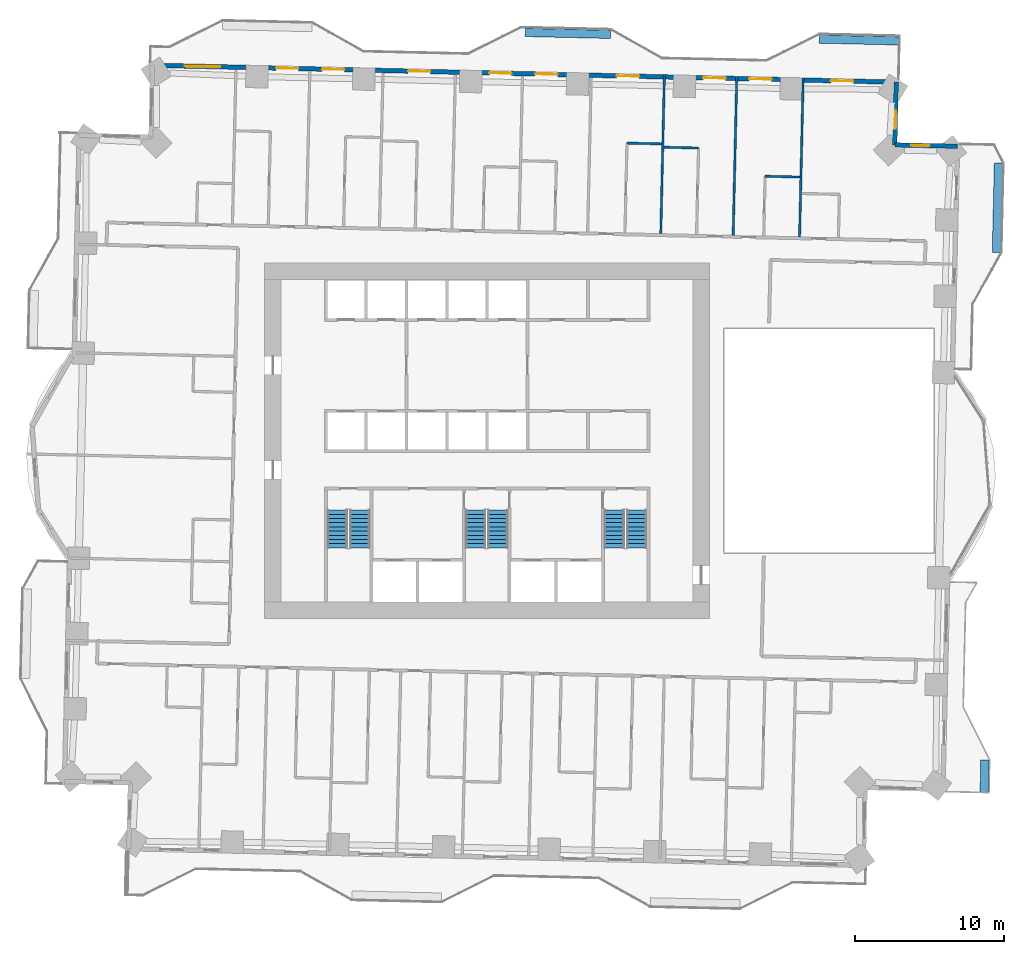
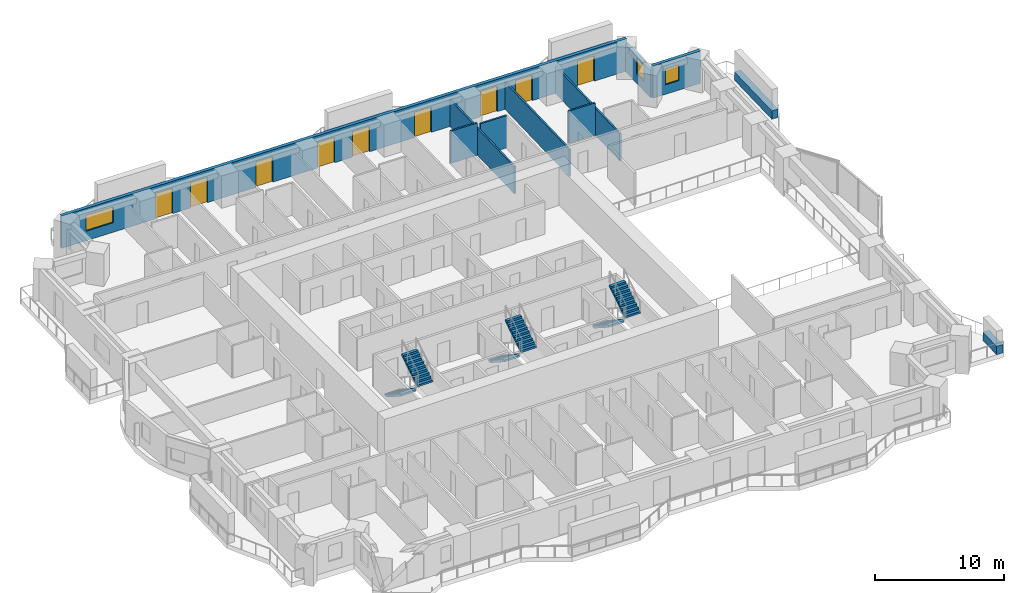
# One storey, part 13 of 18: 13 walls, 9 doors, 6 stair flights, 3 windows, 12 openings, 3 elements without a shape of their own.
"""IFC4 building model written with IfcOpenShell, lengths in metres."""

from ifc_helpers import new_model, si_unit, direction, frame, frame_2d, origin, place, context, subcontext, project, spatial, polyline, rectangle, outline, extrude, material, layer, layer_set, type_object, element, fill, aggregate, save


model = new_model("IFC4")

# Units and contexts
model_context = context("Model", 3, precision=1e-05, world=origin(), true_north=direction((0.0, 1.0)))
body_context = subcontext(model_context, "Body", "Model", "MODEL_VIEW")
ifc_project = project(units=[si_unit("LENGTHUNIT", "METRE"), si_unit("AREAUNIT", "SQUARE_METRE"), si_unit("VOLUMEUNIT", "CUBIC_METRE"), si_unit("PLANEANGLEUNIT", "RADIAN"), si_unit("MASSUNIT", "GRAM", prefix="KILO")], contexts=[model_context])

# Site, building, storey
site_placement = place(None, origin())
site = spatial("IfcSite", under=ifc_project, at=site_placement, CompositionType="ELEMENT")
building_placement = place(site_placement, origin())
building = spatial("IfcBuilding", under=site, at=building_placement, Name="Mangrove Gate Tower", CompositionType="ELEMENT")
storey_placement = place(building_placement, frame((0.0, 0.0, 56.699951171875)))
storey = spatial("IfcBuildingStorey", under=building, at=storey_placement, Name="L13", CompositionType="ELEMENT", Elevation=56.699951171875)

# Wall, opening, window
ifc_material_1 = material(Name="Limestone", Category="masonry")
ifc_layer_1 = layer(ifc_material_1, 0.0400390625, Name="Limestone cladding")
ifc_material_2 = material(Name="Ventilated air gap")
ifc_layer_2 = layer(ifc_material_2, 0.0400390625, Name="Ventilated cavity")
ifc_material_3 = material(Name="Mineral wool insulation")
ifc_layer_3 = layer(ifc_material_3, 0.06005859375, Name="Insulation")
ifc_material_4 = material(Name="Breather membrane")
ifc_layer_4 = layer(ifc_material_4, 0.001953125, Name="Breather membrane")
ifc_material_5 = material(Name="Concrete C20/25 blockwork", Category="masonry")
ifc_layer_5 = layer(ifc_material_5, 0.14990234375, Name="Blockwork backing wall")
ifc_material_6 = material(Name="Gypsum plaster")
ifc_layer_6 = layer(ifc_material_6, 0.008056640625, Name="Internal plaster")
ifc_layer_set_1 = layer_set([ifc_layer_1, ifc_layer_2, ifc_layer_3, ifc_layer_4, ifc_layer_5, ifc_layer_6], Name="External wall 300 limestone cladding")
wall_type_1 = type_object("IfcWallType", Name="External wall 300 limestone cladding", PredefinedType="SOLIDWALL", material=ifc_layer_set_1)
wall_1_placement = place(storey_placement, frame((31.510986328125, 19.72705078125, 0.0), z_axis=(0.0, 0.0, 1.0), x_axis=(-0.999744320311, 0.022611811187, 0.0)))
wall_1 = element("IfcWall", 1, at=wall_1_placement, inside=storey, type_object=wall_type_1, Name="WALL-L13-N3", PredefinedType="SOLIDWALL", context=body_context, shape_type="SweptSolid", body=[
    extrude(rectangle(XDim=4.199951171875, YDim=0.300048828125, at=frame_2d((2.10009765625, 0.0))), origin(), (0.0, 0.0, 1.0), 3.050048828125),
])
opening_1_placement = place(wall_1_placement, frame((1.902099609375, 0.0, 0.89990234375)))
opening_1 = element("IfcOpeningElement", 2, at=opening_1_placement, cuts=wall_1, Name="Opening W1", PredefinedType="OPENING", context=body_context, shape_type="SweptSolid", body=[
    extrude(rectangle(XDim=1.199951171875, YDim=1.5, at=frame_2d((0.60009765625, 0.75))), frame((0.0, 0.159912109375, 0.0), z_axis=(0.0, -1.0, 0.0), x_axis=(1.0, 0.0, 0.0)), (0.0, 0.0, 1.0), 0.320068359375),
])
ifc_material_7 = material(Name="Aluminium frame with double-glazed low-e glass", Category="aluminium")
window_type_1 = type_object("IfcWindowType", Name="Side lite 1200x1500", PartitioningType="SINGLE_PANEL", PredefinedType="WINDOW", material=ifc_material_7)
window_1_placement = place(opening_1_placement, origin())
window_1 = element("IfcWindow", 3, at=window_1_placement, inside=storey, type_object=window_type_1, Name="WIN-L13-N3-1", OverallHeight=1.5, OverallWidth=1.199951171875, PartitioningType="SINGLE_PANEL", PredefinedType="WINDOW", context=body_context, shape_type="SweptSolid", body=[
    extrude(rectangle(XDim=1.199951171875, YDim=1.5, at=frame_2d((0.60009765625, 0.75))), frame((0.0, 0.030029296875, 0.0), z_axis=(0.0, -1.0, 0.0), x_axis=(1.0, 0.0, 0.0)), (0.0, 0.0, 1.0), 0.06005859375),
])
fill(opening_1, window_1)

wall_2_placement = place(storey_placement, frame((27.31201171875, 19.822021484375, 0.0), z_axis=(0.0, 0.0, 1.0), x_axis=(0.022611811187, 0.999744320311, 0.0)))
wall_2 = element("IfcWall", 4, at=wall_2_placement, inside=storey, type_object=wall_type_1, Name="WALL-L13-E4", PredefinedType="SOLIDWALL", context=body_context, shape_type="SweptSolid", body=[
    extrude(rectangle(XDim=4.199951171875, YDim=0.300048828125, at=frame_2d((2.10009765625, 0.0))), origin(), (0.0, 0.0, 1.0), 2.550048828125),
])
opening_2_placement = place(wall_2_placement, frame((1.0791015625, 0.0, 0.89990234375)))
opening_2 = element("IfcOpeningElement", 5, at=opening_2_placement, cuts=wall_2, Name="Opening W1", PredefinedType="OPENING", context=body_context, shape_type="SweptSolid", body=[
    extrude(rectangle(XDim=1.199951171875, YDim=1.5, at=frame_2d((0.60009765625, 0.75))), frame((0.0, 0.159912109375, 0.0), z_axis=(0.0, -1.0, 0.0), x_axis=(1.0, 0.0, 0.0)), (0.0, 0.0, 1.0), 0.320068359375),
])
window_2_placement = place(opening_2_placement, origin())
window_2 = element("IfcWindow", 6, at=window_2_placement, inside=storey, type_object=window_type_1, Name="WIN-L13-E4-1", OverallHeight=1.5, OverallWidth=1.199951171875, PartitioningType="SINGLE_PANEL", PredefinedType="WINDOW", context=body_context, shape_type="SweptSolid", body=[
    extrude(rectangle(XDim=1.199951171875, YDim=1.5, at=frame_2d((0.60009765625, 0.75))), frame((0.0, 0.030029296875, 0.0), z_axis=(0.0, -1.0, 0.0), x_axis=(1.0, 0.0, 0.0)), (0.0, 0.0, 1.0), 0.06005859375),
])
fill(opening_2, window_2)

# Wall, openings, doors, window
wall_3_placement = place(storey_placement, frame((27.406982421875, 24.02099609375, 0.0), z_axis=(0.0, 0.0, 1.0), x_axis=(-0.99974239923, 0.022696589664, 0.0)))
wall_3 = element("IfcWall", 7, at=wall_3_placement, inside=storey, type_object=wall_type_1, Name="WALL-L13-N5", PredefinedType="SOLIDWALL", context=body_context, shape_type="SweptSolid", body=[
    extrude(rectangle(XDim=49.8359375, YDim=0.300048828125, at=frame_2d((24.91796875, 0.0))), origin(), (0.0, 0.0, 1.0), 3.050048828125),
])
opening_3_placement = place(wall_3_placement, frame((2.87109375, 0.0, 0.0)))
opening_3 = element("IfcOpeningElement", 8, at=opening_3_placement, cuts=wall_3, Name="Opening BD1", PredefinedType="OPENING", context=body_context, shape_type="SweptSolid", body=[
    extrude(rectangle(XDim=1.5, YDim=2.39990234375, at=frame_2d((0.75, 1.199951171875))), frame((0.0, 0.159912109375, 0.0), z_axis=(0.0, -1.0, 0.0), x_axis=(1.0, 0.0, 0.0)), (0.0, 0.0, 1.0), 0.320068359375),
])
opening_4_placement = place(wall_3_placement, frame((8.34912109375, 0.0, 0.0)))
opening_4 = element("IfcOpeningElement", 9, at=opening_4_placement, cuts=wall_3, Name="Opening BD1", PredefinedType="OPENING", context=body_context, shape_type="SweptSolid", body=[
    extrude(rectangle(XDim=1.5, YDim=2.39990234375, at=frame_2d((0.75, 1.199951171875))), frame((0.0, 0.159912109375, 0.0), z_axis=(0.0, -1.0, 0.0), x_axis=(1.0, 0.0, 0.0)), (0.0, 0.0, 1.0), 0.320068359375),
])
opening_5_placement = place(wall_3_placement, frame((11.429931640625, 0.0, 0.0)))
opening_5 = element("IfcOpeningElement", 10, at=opening_5_placement, cuts=wall_3, Name="Opening BD1", PredefinedType="OPENING", context=body_context, shape_type="SweptSolid", body=[
    extrude(rectangle(XDim=1.5, YDim=2.39990234375, at=frame_2d((0.75, 1.199951171875))), frame((0.0, 0.159912109375, 0.0), z_axis=(0.0, -1.0, 0.0), x_axis=(1.0, 0.0, 0.0)), (0.0, 0.0, 1.0), 0.320068359375),
])
opening_6_placement = place(wall_3_placement, frame((17.236083984375, 0.0, 0.0)))
opening_6 = element("IfcOpeningElement", 11, at=opening_6_placement, cuts=wall_3, Name="Opening BD1", PredefinedType="OPENING", context=body_context, shape_type="SweptSolid", body=[
    extrude(rectangle(XDim=1.5, YDim=2.39990234375, at=frame_2d((0.75, 1.199951171875))), frame((0.0, 0.159912109375, 0.0), z_axis=(0.0, -1.0, 0.0), x_axis=(1.0, 0.0, 0.0)), (0.0, 0.0, 1.0), 0.320068359375),
])
opening_7_placement = place(wall_3_placement, frame((22.68603515625, 0.0, 0.0)))
opening_7 = element("IfcOpeningElement", 12, at=opening_7_placement, cuts=wall_3, Name="Opening BD1", PredefinedType="OPENING", context=body_context, shape_type="SweptSolid", body=[
    extrude(rectangle(XDim=1.5, YDim=2.39990234375, at=frame_2d((0.75, 1.199951171875))), frame((0.0, 0.159912109375, 0.0), z_axis=(0.0, -1.0, 0.0), x_axis=(1.0, 0.0, 0.0)), (0.0, 0.0, 1.0), 0.320068359375),
])
opening_8_placement = place(wall_3_placement, frame((25.76708984375, 0.0, 0.0)))
opening_8 = element("IfcOpeningElement", 13, at=opening_8_placement, cuts=wall_3, Name="Opening BD1", PredefinedType="OPENING", context=body_context, shape_type="SweptSolid", body=[
    extrude(rectangle(XDim=1.5, YDim=2.39990234375, at=frame_2d((0.75, 1.199951171875))), frame((0.0, 0.159912109375, 0.0), z_axis=(0.0, -1.0, 0.0), x_axis=(1.0, 0.0, 0.0)), (0.0, 0.0, 1.0), 0.320068359375),
])
opening_9_placement = place(wall_3_placement, frame((31.2109375, 0.0, 0.0)))
opening_9 = element("IfcOpeningElement", 14, at=opening_9_placement, cuts=wall_3, Name="Opening BD1", PredefinedType="OPENING", context=body_context, shape_type="SweptSolid", body=[
    extrude(rectangle(XDim=1.5, YDim=2.39990234375, at=frame_2d((0.75, 1.199951171875))), frame((0.0, 0.159912109375, 0.0), z_axis=(0.0, -1.0, 0.0), x_axis=(1.0, 0.0, 0.0)), (0.0, 0.0, 1.0), 0.320068359375),
])
opening_10_placement = place(wall_3_placement, frame((36.97412109375, 0.0, 0.0)))
opening_10 = element("IfcOpeningElement", 15, at=opening_10_placement, cuts=wall_3, Name="Opening BD1", PredefinedType="OPENING", context=body_context, shape_type="SweptSolid", body=[
    extrude(rectangle(XDim=1.5, YDim=2.39990234375, at=frame_2d((0.75, 1.199951171875))), frame((0.0, 0.159912109375, 0.0), z_axis=(0.0, -1.0, 0.0), x_axis=(1.0, 0.0, 0.0)), (0.0, 0.0, 1.0), 0.320068359375),
])
opening_11_placement = place(wall_3_placement, frame((40.054931640625, 0.0, 0.0)))
opening_11 = element("IfcOpeningElement", 16, at=opening_11_placement, cuts=wall_3, Name="Opening BD1", PredefinedType="OPENING", context=body_context, shape_type="SweptSolid", body=[
    extrude(rectangle(XDim=1.5, YDim=2.39990234375, at=frame_2d((0.75, 1.199951171875))), frame((0.0, 0.159912109375, 0.0), z_axis=(0.0, -1.0, 0.0), x_axis=(1.0, 0.0, 0.0)), (0.0, 0.0, 1.0), 0.320068359375),
])
opening_12_placement = place(wall_3_placement, frame((45.281982421875, 0.0, 0.89990234375)))
opening_12 = element("IfcOpeningElement", 17, at=opening_12_placement, cuts=wall_3, Name="Opening W2", PredefinedType="OPENING", context=body_context, shape_type="SweptSolid", body=[
    extrude(rectangle(XDim=2.39990234375, YDim=1.5, at=frame_2d((1.199951171875, 0.75))), frame((0.0, 0.159912109375, 0.0), z_axis=(0.0, -1.0, 0.0), x_axis=(1.0, 0.0, 0.0)), (0.0, 0.0, 1.0), 0.320068359375),
])
ifc_material_8 = material(Name="Aluminium frame with laminated clear glass", Category="aluminium")
door_type = type_object("IfcDoorType", Name="Balcony sliding door 1500x2400", OperationType="SLIDING_TO_LEFT", PredefinedType="DOOR", material=ifc_material_8)
door_1_placement = place(opening_3_placement, origin())
door_1 = element("IfcDoor", 18, at=door_1_placement, inside=storey, type_object=door_type, Name="DOOR-L13-N5-1", OperationType="SLIDING_TO_LEFT", OverallHeight=2.39990234375, OverallWidth=1.5, PredefinedType="DOOR", context=body_context, shape_type="SweptSolid", body=[
    extrude(rectangle(XDim=1.5, YDim=2.39990234375, at=frame_2d((0.75, 1.199951171875))), frame((0.0, 0.02490234375, 0.0), z_axis=(0.0, -1.0, 0.0), x_axis=(1.0, 0.0, 0.0)), (0.0, 0.0, 1.0), 0.050048828125),
])
fill(opening_3, door_1)
door_2_placement = place(opening_4_placement, origin())
door_2 = element("IfcDoor", 19, at=door_2_placement, inside=storey, type_object=door_type, Name="DOOR-L13-N5-2", OperationType="SLIDING_TO_LEFT", OverallHeight=2.39990234375, OverallWidth=1.5, PredefinedType="DOOR", context=body_context, shape_type="SweptSolid", body=[
    extrude(rectangle(XDim=1.5, YDim=2.39990234375, at=frame_2d((0.75, 1.199951171875))), frame((0.0, 0.02490234375, 0.0), z_axis=(0.0, -1.0, 0.0), x_axis=(1.0, 0.0, 0.0)), (0.0, 0.0, 1.0), 0.050048828125),
])
fill(opening_4, door_2)
door_3_placement = place(opening_5_placement, origin())
door_3 = element("IfcDoor", 20, at=door_3_placement, inside=storey, type_object=door_type, Name="DOOR-L13-N5-3", OperationType="SLIDING_TO_LEFT", OverallHeight=2.39990234375, OverallWidth=1.5, PredefinedType="DOOR", context=body_context, shape_type="SweptSolid", body=[
    extrude(rectangle(XDim=1.5, YDim=2.39990234375, at=frame_2d((0.75, 1.199951171875))), frame((0.0, 0.02490234375, 0.0), z_axis=(0.0, -1.0, 0.0), x_axis=(1.0, 0.0, 0.0)), (0.0, 0.0, 1.0), 0.050048828125),
])
fill(opening_5, door_3)
door_4_placement = place(opening_6_placement, origin())
door_4 = element("IfcDoor", 21, at=door_4_placement, inside=storey, type_object=door_type, Name="DOOR-L13-N5-4", OperationType="SLIDING_TO_LEFT", OverallHeight=2.39990234375, OverallWidth=1.5, PredefinedType="DOOR", context=body_context, shape_type="SweptSolid", body=[
    extrude(rectangle(XDim=1.5, YDim=2.39990234375, at=frame_2d((0.75, 1.199951171875))), frame((0.0, 0.02490234375, 0.0), z_axis=(0.0, -1.0, 0.0), x_axis=(1.0, 0.0, 0.0)), (0.0, 0.0, 1.0), 0.050048828125),
])
fill(opening_6, door_4)
door_5_placement = place(opening_7_placement, origin())
door_5 = element("IfcDoor", 22, at=door_5_placement, inside=storey, type_object=door_type, Name="DOOR-L13-N5-5", OperationType="SLIDING_TO_LEFT", OverallHeight=2.39990234375, OverallWidth=1.5, PredefinedType="DOOR", context=body_context, shape_type="SweptSolid", body=[
    extrude(rectangle(XDim=1.5, YDim=2.39990234375, at=frame_2d((0.75, 1.199951171875))), frame((0.0, 0.02490234375, 0.0), z_axis=(0.0, -1.0, 0.0), x_axis=(1.0, 0.0, 0.0)), (0.0, 0.0, 1.0), 0.050048828125),
])
fill(opening_7, door_5)
door_6_placement = place(opening_8_placement, origin())
door_6 = element("IfcDoor", 23, at=door_6_placement, inside=storey, type_object=door_type, Name="DOOR-L13-N5-6", OperationType="SLIDING_TO_LEFT", OverallHeight=2.39990234375, OverallWidth=1.5, PredefinedType="DOOR", context=body_context, shape_type="SweptSolid", body=[
    extrude(rectangle(XDim=1.5, YDim=2.39990234375, at=frame_2d((0.75, 1.199951171875))), frame((0.0, 0.02490234375, 0.0), z_axis=(0.0, -1.0, 0.0), x_axis=(1.0, 0.0, 0.0)), (0.0, 0.0, 1.0), 0.050048828125),
])
fill(opening_8, door_6)
door_7_placement = place(opening_9_placement, origin())
door_7 = element("IfcDoor", 24, at=door_7_placement, inside=storey, type_object=door_type, Name="DOOR-L13-N5-7", OperationType="SLIDING_TO_LEFT", OverallHeight=2.39990234375, OverallWidth=1.5, PredefinedType="DOOR", context=body_context, shape_type="SweptSolid", body=[
    extrude(rectangle(XDim=1.5, YDim=2.39990234375, at=frame_2d((0.75, 1.199951171875))), frame((0.0, 0.02490234375, 0.0), z_axis=(0.0, -1.0, 0.0), x_axis=(1.0, 0.0, 0.0)), (0.0, 0.0, 1.0), 0.050048828125),
])
fill(opening_9, door_7)
door_8_placement = place(opening_10_placement, origin())
door_8 = element("IfcDoor", 25, at=door_8_placement, inside=storey, type_object=door_type, Name="DOOR-L13-N5-8", OperationType="SLIDING_TO_LEFT", OverallHeight=2.39990234375, OverallWidth=1.5, PredefinedType="DOOR", context=body_context, shape_type="SweptSolid", body=[
    extrude(rectangle(XDim=1.5, YDim=2.39990234375, at=frame_2d((0.75, 1.199951171875))), frame((0.0, 0.02490234375, 0.0), z_axis=(0.0, -1.0, 0.0), x_axis=(1.0, 0.0, 0.0)), (0.0, 0.0, 1.0), 0.050048828125),
])
fill(opening_10, door_8)
door_9_placement = place(opening_11_placement, origin())
door_9 = element("IfcDoor", 26, at=door_9_placement, inside=storey, type_object=door_type, Name="DOOR-L13-N5-9", OperationType="SLIDING_TO_LEFT", OverallHeight=2.39990234375, OverallWidth=1.5, PredefinedType="DOOR", context=body_context, shape_type="SweptSolid", body=[
    extrude(rectangle(XDim=1.5, YDim=2.39990234375, at=frame_2d((0.75, 1.199951171875))), frame((0.0, 0.02490234375, 0.0), z_axis=(0.0, -1.0, 0.0), x_axis=(1.0, 0.0, 0.0)), (0.0, 0.0, 1.0), 0.050048828125),
])
fill(opening_11, door_9)
ifc_material_9 = material(Name="Aluminium frame with double-glazed low-e glass", Category="aluminium")
window_type_2 = type_object("IfcWindowType", Name="Corner room window 2400x1500", PartitioningType="DOUBLE_PANEL_VERTICAL", PredefinedType="WINDOW", material=ifc_material_9)
window_3_placement = place(opening_12_placement, origin())
window_3 = element("IfcWindow", 27, at=window_3_placement, inside=storey, type_object=window_type_2, Name="WIN-L13-N5-10", OverallHeight=1.5, OverallWidth=2.39990234375, PartitioningType="DOUBLE_PANEL_VERTICAL", PredefinedType="WINDOW", context=body_context, shape_type="SweptSolid", body=[
    extrude(rectangle(XDim=2.39990234375, YDim=1.5, at=frame_2d((1.199951171875, 0.75))), frame((0.0, 0.030029296875, 0.0), z_axis=(0.0, -1.0, 0.0), x_axis=(1.0, 0.0, 0.0)), (0.0, 0.0, 1.0), 0.06005859375),
])
fill(opening_12, window_3)

# Walls
ifc_material_10 = material(Name="Gypsum board on steel stud, EI 60", Category="steel")
ifc_layer_7 = layer(ifc_material_10, 0.14990234375)
ifc_layer_set_2 = layer_set([ifc_layer_7], Name="Party wall 150 EI 60")
wall_type_2 = type_object("IfcWallType", Name="Party wall 150 EI 60", PredefinedType="PARTITIONING", material=ifc_layer_set_2)
for number, where, z_axis, x_axis, name in (
    (28, (11.635009765625, 13.8759765625, 0.0), (0.0, 0.0, 1.0), (0.022624555408, 0.999744031986, 0.0), "WALL-L13-071"),
    (29, (16.48388671875, 13.76611328125, 0.0), (0.0, 0.0, 1.0), (0.022647466205, 0.999743513245, 0.0), "WALL-L13-073"),
    (30, (20.931884765625, 13.6650390625, 0.0), (0.0, 0.0, 1.0), (0.022739109038, 0.999741433032, 0.0), "WALL-L13-075"),
):
    element("IfcWall", number, at=place(storey_placement, frame(where, z_axis=z_axis, x_axis=x_axis)), inside=storey, type_object=wall_type_2, Name=name, PredefinedType="PARTITIONING", context=body_context, shape_type="SweptSolid", body=[
        extrude(rectangle(XDim=10.650634765625, YDim=0.14990234375, at=frame_2d((5.3251953125, 0.0))), origin(), (0.0, 0.0, 1.0), 2.550048828125),
    ])
wall_4_placement = place(storey_placement, frame((18.6259765625, 17.718994140625, 0.0), z_axis=(0.0, 0.0, 1.0), x_axis=(0.999740260747, -0.02279059109, 0.0)))
element("IfcWall", 31, at=wall_4_placement, inside=storey, type_object=wall_type_2, Name="WALL-L13-079", PredefinedType="PARTITIONING", context=body_context, shape_type="SweptSolid", body=[
    extrude(rectangle(XDim=2.324462890625, YDim=0.14990234375, at=frame_2d((1.162109375, 0.0))), origin(), (0.0, 0.0, 1.0), 3.050048828125),
])
wall_5_placement = place(storey_placement, frame((11.843017578125, 19.6630859375, 0.0), z_axis=(0.0, 0.0, 1.0), x_axis=(0.999740478815, -0.022781023197, 0.0)))
element("IfcWall", 32, at=wall_5_placement, inside=storey, type_object=wall_type_2, Name="WALL-L13-083", PredefinedType="PARTITIONING", context=body_context, shape_type="SweptSolid", body=[
    extrude(rectangle(XDim=2.325439453125, YDim=0.14990234375, at=frame_2d((1.16259765625, 0.0))), origin(), (0.0, 0.0, 1.0), 3.050048828125),
])
wall_6_placement = place(storey_placement, frame((9.3740234375, 19.93896484375, 0.0), z_axis=(0.0, 0.0, 1.0), x_axis=(0.999740260747, -0.02279059109, 0.0)))
element("IfcWall", 33, at=wall_6_placement, inside=storey, type_object=wall_type_2, Name="WALL-L13-085", PredefinedType="PARTITIONING", context=body_context, shape_type="SweptSolid", body=[
    extrude(rectangle(XDim=2.324462890625, YDim=0.14990234375, at=frame_2d((1.162109375, 0.0))), origin(), (0.0, 0.0, 1.0), 3.050048828125),
])
ifc_material_11 = material(Name="Concrete C32/40", Category="concrete")
ifc_layer_8 = layer(ifc_material_11, 0.199951171875, Name="Planter trough wall")
ifc_material_12 = material(Name="Bituminous waterproofing membrane")
ifc_layer_9 = layer(ifc_material_12, 0.0048828125, Name="Waterproofing")
ifc_material_13 = material(Name="Drainage board and gravel")
ifc_layer_10 = layer(ifc_material_13, 0.044921875, Name="Drainage layer")
ifc_material_14 = material(Name="Planting soil")
ifc_layer_11 = layer(ifc_material_14, 0.300048828125, Name="Growing medium")
ifc_layer_set_3 = layer_set([ifc_layer_8, ifc_layer_9, ifc_layer_10, ifc_layer_11], Name="Planter wall 550 C32/40")
wall_type_3 = type_object("IfcWallType", Name="Planter wall 550 C32/40", PredefinedType="USERDEFINED", material=ifc_layer_set_3)
wall_7_placement = place(storey_placement, frame((33.2939453125, -23.574951171875, 0.0), z_axis=(0.0, 0.0, 1.0), x_axis=(0.022754182687, 0.999741090068, 0.0)))
element("IfcWall", 34, at=wall_7_placement, inside=storey, type_object=wall_type_3, Name="PLANTER L13 E0.1", ObjectType="PLANTER", PredefinedType="USERDEFINED", context=body_context, shape_type="SweptSolid", body=[
    extrude(rectangle(XDim=2.199462890625, YDim=0.550048828125, at=frame_2d((1.099609375, 0.0))), origin(), (0.0, 0.0, 1.0), 0.800048828125),
])
wall_8_placement = place(storey_placement, frame((34.114990234375, 12.615966796875, 0.0), z_axis=(0.0, 0.0, 1.0), x_axis=(0.022665943652, 0.999743094499, 0.0)))
element("IfcWall", 35, at=wall_8_placement, inside=storey, type_object=wall_type_3, Name="PLANTER L13 E1.1", ObjectType="PLANTER", PredefinedType="USERDEFINED", context=body_context, shape_type="SweptSolid", body=[
    extrude(rectangle(XDim=5.99951171875, YDim=0.550048828125, at=frame_2d((2.999755859375, 0.0))), origin(), (0.0, 0.0, 1.0), 0.800048828125),
])
wall_9_placement = place(storey_placement, frame((2.55810546875, 27.35107421875, 0.0), z_axis=(0.0, 0.0, 1.0), x_axis=(0.999739419866, -0.022827447663, 0.0)))
element("IfcWall", 36, at=wall_9_placement, inside=storey, type_object=wall_type_3, Name="PLANTER L13 N0.1", ObjectType="PLANTER", PredefinedType="USERDEFINED", context=body_context, shape_type="SweptSolid", body=[
    extrude(rectangle(XDim=5.700439453125, YDim=0.550048828125, at=frame_2d((2.85009765625, 0.0))), origin(), (0.0, 0.0, 1.0), 0.800048828125),
])
wall_10_placement = place(storey_placement, frame((22.2529296875, 26.904052734375, 0.0), z_axis=(0.0, 0.0, 1.0), x_axis=(0.999741459769, -0.022737933492, 0.0)))
element("IfcWall", 37, at=wall_10_placement, inside=storey, type_object=wall_type_3, Name="PLANTER L13 N0.2", ObjectType="PLANTER", PredefinedType="USERDEFINED", context=body_context, shape_type="SweptSolid", body=[
    extrude(rectangle(XDim=5.36865234375, YDim=0.550048828125, at=frame_2d((2.684326171875, 0.0))), origin(), (0.0, 0.0, 1.0), 0.800048828125),
])

# Stair, stair flights
ifc_material_15 = material(Name="Concrete C40/50", Category="concrete")
stair_type = type_object("IfcStairType", Name="Core stair 1350", PredefinedType="HALF_TURN_STAIR", material=ifc_material_15)
stair_1_placement = place(storey_placement, origin())
stair_1 = element("IfcStair", 38, at=stair_1_placement, inside=storey, type_object=stair_type, Name="L13 Stair 1", PredefinedType="HALF_TURN_STAIR")
ifc_material_16 = material(Name="Concrete C40/50", Category="concrete")
stair_flight_type = type_object("IfcStairFlightType", Name="Core stair flight 1350", PredefinedType="STRAIGHT", material=ifc_material_16)
stair_flight_1_placement = place(storey_placement, frame((-10.02490234375, -4.64990234375, 0.0), z_axis=(0.0, 0.0, 1.0), x_axis=(0.0, -1.0, 0.0)))
stair_flight_1 = element("IfcStairFlight", 39, at=stair_flight_1_placement, type_object=stair_flight_type, Name="ST1 flight 1", NumberOfRisers=10, NumberOfTreads=9, PredefinedType="STRAIGHT", RiserHeight=0.18, TreadLength=0.28, context=body_context, shape_type="SweptSolid", body=[
    extrude(outline(polyline([(0.0, 0.0), (0.0, 0.179931640625), (0.280029296875, 0.179931640625), (0.280029296875, 0.360107421875), (0.56005859375, 0.360107421875), (0.56005859375, 0.5400390625), (0.840087890625, 0.5400390625), (0.840087890625, 0.719970703125), (1.1201171875, 0.719970703125), (1.1201171875, 0.89990234375), (1.39990234375, 0.89990234375), (1.39990234375, 1.080078125), (1.679931640625, 1.080078125), (1.679931640625, 1.260009765625), (1.9599609375, 1.260009765625), (1.9599609375, 1.43994140625), (2.239990234375, 1.43994140625), (2.239990234375, 1.6201171875), (2.52001953125, 1.6201171875), (2.52001953125, 1.800048828125), (2.52001953125, 1.44189453125), (0.277099609375, 0.0), (0.0, 0.0)])), frame((0.0, 0.675048828125, 0.0), z_axis=(0.0, -1.0, 0.0), x_axis=(1.0, 0.0, 0.0)), (0.0, 0.0, 1.0), 1.35009765625),
])
stair_flight_2_placement = place(storey_placement, frame((-8.52490234375, -7.169921875, 1.800048828125), z_axis=(0.0, 0.0, 1.0), x_axis=(0.0, 1.0, 0.0)))
stair_flight_2 = element("IfcStairFlight", 40, at=stair_flight_2_placement, type_object=stair_flight_type, Name="ST1 flight 2", NumberOfRisers=10, NumberOfTreads=9, PredefinedType="STRAIGHT", RiserHeight=0.18, TreadLength=0.28, context=body_context, shape_type="SweptSolid", body=[
    extrude(outline(polyline([(0.0, 0.0), (0.0, 0.179931640625), (0.280029296875, 0.179931640625), (0.280029296875, 0.360107421875), (0.56005859375, 0.360107421875), (0.56005859375, 0.5400390625), (0.840087890625, 0.5400390625), (0.840087890625, 0.719970703125), (1.1201171875, 0.719970703125), (1.1201171875, 0.89990234375), (1.39990234375, 0.89990234375), (1.39990234375, 1.080078125), (1.679931640625, 1.080078125), (1.679931640625, 1.260009765625), (1.9599609375, 1.260009765625), (1.9599609375, 1.43994140625), (2.239990234375, 1.43994140625), (2.239990234375, 1.6201171875), (2.52001953125, 1.6201171875), (2.52001953125, 1.800048828125), (2.52001953125, 1.44189453125), (0.277099609375, 0.0), (0.0, 0.0)])), frame((0.0, 0.675048828125, 0.0), z_axis=(0.0, -1.0, 0.0), x_axis=(1.0, 0.0, 0.0)), (0.0, 0.0, 1.0), 1.35009765625),
])
aggregate(stair_1, [stair_flight_1, stair_flight_2])

stair_2_placement = place(storey_placement, origin())
stair_2 = element("IfcStair", 41, at=stair_2_placement, inside=storey, type_object=stair_type, Name="L13 Stair 2", PredefinedType="HALF_TURN_STAIR")
stair_flight_3_placement = place(storey_placement, frame((-0.77490234375, -4.64990234375, 0.0), z_axis=(0.0, 0.0, 1.0), x_axis=(0.0, -1.0, 0.0)))
stair_flight_3 = element("IfcStairFlight", 42, at=stair_flight_3_placement, type_object=stair_flight_type, Name="ST2 flight 1", NumberOfRisers=10, NumberOfTreads=9, PredefinedType="STRAIGHT", RiserHeight=0.18, TreadLength=0.28, context=body_context, shape_type="SweptSolid", body=[
    extrude(outline(polyline([(0.0, 0.0), (0.0, 0.179931640625), (0.280029296875, 0.179931640625), (0.280029296875, 0.360107421875), (0.56005859375, 0.360107421875), (0.56005859375, 0.5400390625), (0.840087890625, 0.5400390625), (0.840087890625, 0.719970703125), (1.1201171875, 0.719970703125), (1.1201171875, 0.89990234375), (1.39990234375, 0.89990234375), (1.39990234375, 1.080078125), (1.679931640625, 1.080078125), (1.679931640625, 1.260009765625), (1.9599609375, 1.260009765625), (1.9599609375, 1.43994140625), (2.239990234375, 1.43994140625), (2.239990234375, 1.6201171875), (2.52001953125, 1.6201171875), (2.52001953125, 1.800048828125), (2.52001953125, 1.44189453125), (0.277099609375, 0.0), (0.0, 0.0)])), frame((0.0, 0.675048828125, 0.0), z_axis=(0.0, -1.0, 0.0), x_axis=(1.0, 0.0, 0.0)), (0.0, 0.0, 1.0), 1.35009765625),
])
stair_flight_4_placement = place(storey_placement, frame((0.72509765625, -7.169921875, 1.800048828125), z_axis=(0.0, 0.0, 1.0), x_axis=(0.0, 1.0, 0.0)))
stair_flight_4 = element("IfcStairFlight", 43, at=stair_flight_4_placement, type_object=stair_flight_type, Name="ST2 flight 2", NumberOfRisers=10, NumberOfTreads=9, PredefinedType="STRAIGHT", RiserHeight=0.18, TreadLength=0.28, context=body_context, shape_type="SweptSolid", body=[
    extrude(outline(polyline([(0.0, 0.0), (0.0, 0.179931640625), (0.280029296875, 0.179931640625), (0.280029296875, 0.360107421875), (0.56005859375, 0.360107421875), (0.56005859375, 0.5400390625), (0.840087890625, 0.5400390625), (0.840087890625, 0.719970703125), (1.1201171875, 0.719970703125), (1.1201171875, 0.89990234375), (1.39990234375, 0.89990234375), (1.39990234375, 1.080078125), (1.679931640625, 1.080078125), (1.679931640625, 1.260009765625), (1.9599609375, 1.260009765625), (1.9599609375, 1.43994140625), (2.239990234375, 1.43994140625), (2.239990234375, 1.6201171875), (2.52001953125, 1.6201171875), (2.52001953125, 1.800048828125), (2.52001953125, 1.44189453125), (0.277099609375, 0.0), (0.0, 0.0)])), frame((0.0, 0.675048828125, 0.0), z_axis=(0.0, -1.0, 0.0), x_axis=(1.0, 0.0, 0.0)), (0.0, 0.0, 1.0), 1.35009765625),
])
aggregate(stair_2, [stair_flight_3, stair_flight_4])

stair_3_placement = place(storey_placement, origin())
stair_3 = element("IfcStair", 44, at=stair_3_placement, inside=storey, type_object=stair_type, Name="L13 Stair 3", PredefinedType="HALF_TURN_STAIR")
stair_flight_5_placement = place(storey_placement, frame((8.52490234375, -4.64990234375, 0.0), z_axis=(0.0, 0.0, 1.0), x_axis=(0.0, -1.0, 0.0)))
stair_flight_5 = element("IfcStairFlight", 45, at=stair_flight_5_placement, type_object=stair_flight_type, Name="ST3 flight 1", NumberOfRisers=10, NumberOfTreads=9, PredefinedType="STRAIGHT", RiserHeight=0.18, TreadLength=0.28, context=body_context, shape_type="SweptSolid", body=[
    extrude(outline(polyline([(0.0, 0.0), (0.0, 0.179931640625), (0.280029296875, 0.179931640625), (0.280029296875, 0.360107421875), (0.56005859375, 0.360107421875), (0.56005859375, 0.5400390625), (0.840087890625, 0.5400390625), (0.840087890625, 0.719970703125), (1.1201171875, 0.719970703125), (1.1201171875, 0.89990234375), (1.39990234375, 0.89990234375), (1.39990234375, 1.080078125), (1.679931640625, 1.080078125), (1.679931640625, 1.260009765625), (1.9599609375, 1.260009765625), (1.9599609375, 1.43994140625), (2.239990234375, 1.43994140625), (2.239990234375, 1.6201171875), (2.52001953125, 1.6201171875), (2.52001953125, 1.800048828125), (2.52001953125, 1.44189453125), (0.277099609375, 0.0), (0.0, 0.0)])), frame((0.0, 0.675048828125, 0.0), z_axis=(0.0, -1.0, 0.0), x_axis=(1.0, 0.0, 0.0)), (0.0, 0.0, 1.0), 1.35009765625),
])
stair_flight_6_placement = place(storey_placement, frame((10.02490234375, -7.169921875, 1.800048828125), z_axis=(0.0, 0.0, 1.0), x_axis=(0.0, 1.0, 0.0)))
stair_flight_6 = element("IfcStairFlight", 46, at=stair_flight_6_placement, type_object=stair_flight_type, Name="ST3 flight 2", NumberOfRisers=10, NumberOfTreads=9, PredefinedType="STRAIGHT", RiserHeight=0.18, TreadLength=0.28, context=body_context, shape_type="SweptSolid", body=[
    extrude(outline(polyline([(0.0, 0.0), (0.0, 0.179931640625), (0.280029296875, 0.179931640625), (0.280029296875, 0.360107421875), (0.56005859375, 0.360107421875), (0.56005859375, 0.5400390625), (0.840087890625, 0.5400390625), (0.840087890625, 0.719970703125), (1.1201171875, 0.719970703125), (1.1201171875, 0.89990234375), (1.39990234375, 0.89990234375), (1.39990234375, 1.080078125), (1.679931640625, 1.080078125), (1.679931640625, 1.260009765625), (1.9599609375, 1.260009765625), (1.9599609375, 1.43994140625), (2.239990234375, 1.43994140625), (2.239990234375, 1.6201171875), (2.52001953125, 1.6201171875), (2.52001953125, 1.800048828125), (2.52001953125, 1.44189453125), (0.277099609375, 0.0), (0.0, 0.0)])), frame((0.0, 0.675048828125, 0.0), z_axis=(0.0, -1.0, 0.0), x_axis=(1.0, 0.0, 0.0)), (0.0, 0.0, 1.0), 1.35009765625),
])
aggregate(stair_3, [stair_flight_5, stair_flight_6])

save(model, "model.ifc")
